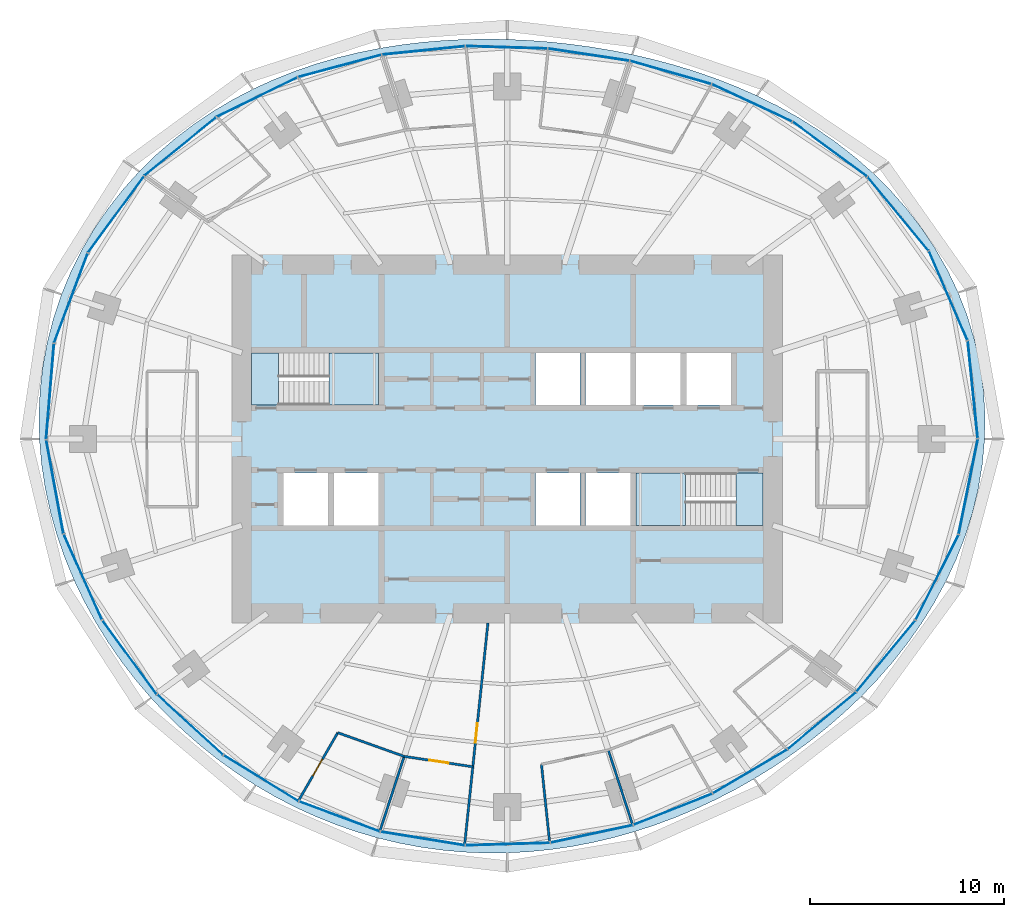
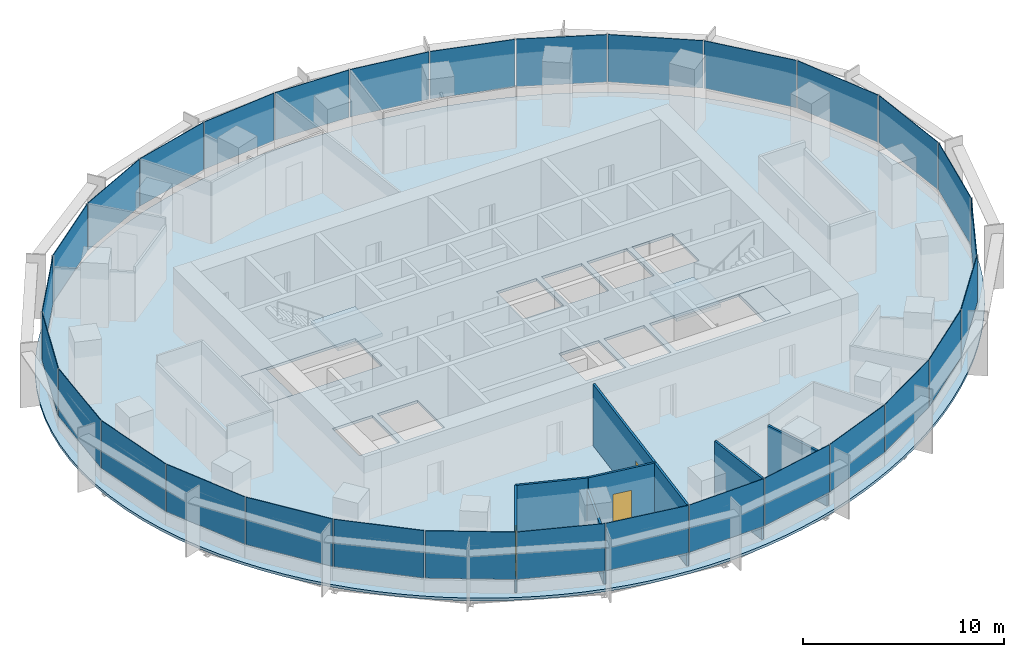
# One storey, part 9 of 15: 30 plates, 7 walls, 5 slabs, 3 doors, 3 openings, 8 elements without a shape of their own.
"""IFC4 building model written with IfcOpenShell, lengths in metres."""

from ifc_helpers import new_model, si_unit, direction, frame, frame_2d, origin, origin_2d, place, context, subcontext, project, spatial, polyline, rectangle, outline, extrude, material, layer, layer_set, type_object, element, fill, aggregate, save


model = new_model("IFC4")

# Units and contexts
model_context = context("Model", 3, precision=1e-05, world=origin(), true_north=direction((0.0, 1.0)))
body_context = subcontext(model_context, "Body", "Model", "MODEL_VIEW")
ifc_project = project(units=[si_unit("LENGTHUNIT", "METRE"), si_unit("AREAUNIT", "SQUARE_METRE"), si_unit("VOLUMEUNIT", "CUBIC_METRE"), si_unit("PLANEANGLEUNIT", "RADIAN"), si_unit("MASSUNIT", "GRAM", prefix="KILO")], contexts=[model_context])

# Site, building, storey
site_placement = place(None, origin())
site = spatial("IfcSite", under=ifc_project, at=site_placement, CompositionType="ELEMENT")
building_placement = place(site_placement, origin())
building = spatial("IfcBuilding", under=site, at=building_placement, Name="Marramba Exchange Tower", CompositionType="ELEMENT")
storey_placement = place(building_placement, frame((0.0, 0.0, 187.699951171875)))
storey = spatial("IfcBuildingStorey", under=building, at=storey_placement, Name="L45", CompositionType="ELEMENT", Elevation=187.699951171875)

# Slab
ifc_material_1 = material(Name="Concrete N40", Category="concrete")
ifc_layer_1 = layer(ifc_material_1, 0.159912109375)
ifc_layer_set_1 = layer_set([ifc_layer_1], Name="Composite floor slab 160")
slab_type_1 = type_object("IfcSlabType", Name="Composite floor slab 160", PredefinedType="FLOOR", material=ifc_layer_set_1)
slab_1_placement = place(storey_placement, frame((0.0, 0.0, -0.159912109375)))
element("IfcSlab", 1, at=slab_1_placement, inside=storey, type_object=slab_type_1, Name="Floor slab L45", PredefinedType="FLOOR", context=body_context, shape_type="SweptSolid", body=[
    extrude(outline(polyline([(24.64404296875, 0.0), (24.661376953125, 1.29248046875), (24.580078125, 2.58349609375), (24.399658203125, 3.864501953125), (24.12109375, 5.127197265625), (23.7470703125, 6.363037109375), (23.281494140625, 7.564697265625), (22.72900390625, 8.724853515625), (22.095947265625, 9.837646484375), (21.388427734375, 10.89794921875), (20.614013671875, 11.901611328125), (19.780029296875, 12.845458984375), (18.894287109375, 13.7275390625), (17.964111328125, 14.547119140625), (16.996826171875, 15.303955078125), (15.9990234375, 15.9990234375), (14.977294921875, 16.634033203125), (13.936767578125, 17.21044921875), (12.882568359375, 17.7314453125), (11.819091796875, 18.19970703125), (10.749267578125, 18.6181640625), (9.67578125, 18.989990234375), (8.60107421875, 19.318115234375), (7.52587890625, 19.60546875), (6.451171875, 19.8544921875), (5.377197265625, 20.067626953125), (4.303466796875, 20.246337890625), (3.229736328125, 20.39208984375), (2.1552734375, 20.50537109375), (1.078857421875, 20.5869140625), (0.0, 20.63623046875), (-1.082275390625, 20.652587890625), (-2.168701171875, 20.634765625), (-3.259765625, 20.580810546875), (-4.35498046875, 20.4892578125), (-5.45458984375, 20.35693359375), (-6.557373046875, 20.181884765625), (-7.662353515625, 19.9609375), (-8.76708984375, 19.691162109375), (-9.869384765625, 19.369873046875), (-10.96630859375, 18.994384765625), (-12.05419921875, 18.561767578125), (-13.128662109375, 18.070068359375), (-14.185546875, 17.517578125), (-15.218994140625, 16.902587890625), (-16.22412109375, 16.22412109375), (-17.195068359375, 15.482421875), (-18.12548828125, 14.677734375), (-19.009521484375, 13.811279296875), (-19.841064453125, 12.885009765625), (-20.614013671875, 11.901611328125), (-21.32275390625, 10.864501953125), (-21.9619140625, 9.778076171875), (-22.52685546875, 8.647216796875), (-23.01318359375, 7.477294921875), (-23.417724609375, 6.274658203125), (-23.73779296875, 5.045654296875), (-23.971923828125, 3.796875), (-24.119384765625, 2.53515625), (-24.180419921875, 1.267333984375), (-24.156005859375, 0.0), (-24.04833984375, -1.26025390625), (-23.860107421875, -2.5078125), (-23.594482421875, -3.737060546875), (-23.25537109375, -4.943115234375), (-22.846923828125, -6.121826171875), (-22.373291015625, -7.26953125), (-21.8388671875, -8.38330078125), (-21.247802734375, -9.460205078125), (-20.604248046875, -10.49853515625), (-19.912109375, -11.496337890625), (-19.174560546875, -12.4521484375), (-18.395263671875, -13.364990234375), (-17.5771484375, -14.233642578125), (-16.72265625, -15.05712890625), (-15.834228515625, -15.834228515625), (-14.914794921875, -16.564453125), (-13.966064453125, -17.24658203125), (-12.990234375, -17.879638671875), (-11.98974609375, -18.46240234375), (-10.96630859375, -18.994384765625), (-9.922607421875, -19.47412109375), (-8.860595703125, -19.901123046875), (-7.78271484375, -20.2744140625), (-6.691162109375, -20.593505859375), (-5.5888671875, -20.858154296875), (-4.478271484375, -21.068115234375), (-3.361328125, -21.22314453125), (-2.2412109375, -21.32373046875), (-1.119873046875, -21.370361328125), (0.0, -21.36376953125), (1.116455078125, -21.3046875), (2.2275390625, -21.194580078125), (3.33154296875, -21.0341796875), (4.426513671875, -20.8251953125), (5.511474609375, -20.56884765625), (6.5849609375, -20.266357421875), (7.646240234375, -19.919189453125), (8.694580078125, -19.528076171875), (9.72900390625, -19.09423828125), (10.749267578125, -18.6181640625), (11.75439453125, -18.100341796875), (12.744140625, -17.541015625), (13.71728515625, -16.939697265625), (14.6728515625, -16.2958984375), (15.609130859375, -15.609130859375), (16.5244140625, -14.878662109375), (17.415771484375, -14.10302734375), (18.280029296875, -13.28125), (19.11376953125, -12.41259765625), (19.912109375, -11.496337890625), (20.669921875, -10.531982421875), (21.3818359375, -9.519775390625), (22.041259765625, -8.4609375), (22.641845703125, -7.356689453125), (23.176513671875, -6.210205078125), (23.638671875, -5.024658203125), (24.022216796875, -3.8046875), (24.32080078125, -2.55615234375), (24.529541015625, -1.28564453125), (24.64404296875, 0.0)]), holes=[polyline([(1.449951171875, 1.75), (3.75, 1.75), (3.75, 4.449951171875), (1.449951171875, 4.449951171875), (1.449951171875, 1.75)]), polyline([(4.050048828125, 1.75), (6.35009765625, 1.75), (6.35009765625, 4.449951171875), (4.050048828125, 4.449951171875), (4.050048828125, 1.75)]), polyline([(1.449951171875, -4.449951171875), (3.75, -4.449951171875), (3.75, -1.75), (1.449951171875, -1.75), (1.449951171875, -4.449951171875)]), polyline([(4.050048828125, -4.449951171875), (6.35009765625, -4.449951171875), (6.35009765625, -1.75), (4.050048828125, -1.75), (4.050048828125, -4.449951171875)]), polyline([(6.64990234375, 1.75), (8.949951171875, 1.75), (8.949951171875, 4.449951171875), (6.64990234375, 4.449951171875), (6.64990234375, 1.75)]), polyline([(-8.949951171875, -4.449951171875), (-6.64990234375, -4.449951171875), (-6.64990234375, -1.75), (-8.949951171875, -1.75), (-8.949951171875, -4.449951171875)]), polyline([(-11.550048828125, -4.449951171875), (-9.25, -4.449951171875), (-9.25, -1.75), (-11.550048828125, -1.75), (-11.550048828125, -4.449951171875)]), polyline([(9.25, 1.75), (11.550048828125, 1.75), (11.550048828125, 4.449951171875), (9.25, 4.449951171875), (9.25, 1.75)]), polyline([(-13.199951171875, 1.75), (-6.64990234375, 1.75), (-6.64990234375, 4.449951171875), (-13.199951171875, 4.449951171875), (-13.199951171875, 1.75)]), polyline([(6.64990234375, -4.449951171875), (13.199951171875, -4.449951171875), (13.199951171875, -1.75), (6.64990234375, -1.75), (6.64990234375, -4.449951171875)])]), origin(), (0.0, 0.0, 1.0), 0.159912109375),
])

# Curtain wall, plates
ifc_material_2 = material(Name="Aluminium framing, bronze anodised", Category="aluminium")
curtain_wall_type = type_object("IfcCurtainWallType", Name="Office ribbon curtain wall", PredefinedType="USERDEFINED", material=ifc_material_2)
curtain_wall_1_placement = place(storey_placement, origin())
curtain_wall_1 = element("IfcCurtainWall", 2, at=curtain_wall_1_placement, inside=storey, type_object=curtain_wall_type, Name="Curtain wall CW4 L45 F01-F05", ObjectType="RIBBON CURTAIN WALL", PredefinedType="USERDEFINED")
ifc_material_3 = material(Name="Laminated double glazed unit 10.76 + 16 + 10.76, bronze tinted", Category="glass")
ifc_layer_2 = layer(ifc_material_3, 0.03759765625)
ifc_layer_set_2 = layer_set([ifc_layer_2], Name="Office ribbon curtain wall panel")
plate_type = type_object("IfcPlateType", Name="Office ribbon curtain wall panel", PredefinedType="CURTAIN_PANEL", material=ifc_layer_set_2)
plate_1_placement = place(storey_placement, frame((24.033203125, 2.556884765625, 0.860107421875), z_axis=(0.0, 0.0, 1.0), x_axis=(-0.101422472607, 0.994843446001, 0.0)))
plate_1 = element("IfcPlate", 3, at=plate_1_placement, type_object=plate_type, Name="CW4 vision panel", PredefinedType="CURTAIN_PANEL", context=body_context, shape_type="SweptSolid", body=[
    extrude(rectangle(XDim=5.0205078125, YDim=0.03759765625, at=origin_2d()), origin(), (0.0, 0.0, 1.0), 2.8798828125),
])
plate_2_placement = place(storey_placement, frame((22.765625, 7.40234375, 0.860107421875), z_axis=(0.0, 0.0, 1.0), x_axis=(-0.396193346946, 0.918167104527, 0.0)))
plate_2 = element("IfcPlate", 4, at=plate_2_placement, type_object=plate_type, Name="CW4 vision panel", PredefinedType="CURTAIN_PANEL", context=body_context, shape_type="SweptSolid", body=[
    extrude(rectangle(XDim=4.99462890625, YDim=0.03759765625, at=origin_2d()), origin(), (0.0, 0.0, 1.0), 2.8798828125),
])
plate_3_placement = place(storey_placement, frame((20.174560546875, 11.631591796875, 0.860107421875), z_axis=(0.0, 0.0, 1.0), x_axis=(-0.637350227411, 0.770574258342, 0.0)))
plate_3 = element("IfcPlate", 5, at=plate_3_placement, type_object=plate_type, Name="CW4 vision panel", PredefinedType="CURTAIN_PANEL", context=body_context, shape_type="SweptSolid", body=[
    extrude(rectangle(XDim=4.90576171875, YDim=0.03759765625, at=origin_2d()), origin(), (0.0, 0.0, 1.0), 2.8798828125),
])
plate_4_placement = place(storey_placement, frame((16.653076171875, 14.965576171875, 0.860107421875), z_axis=(0.0, 0.0, 1.0), x_axis=(-0.804877259395, 0.593441317494, 0.0)))
plate_4 = element("IfcPlate", 6, at=plate_4_placement, type_object=plate_type, Name="CW4 vision panel", PredefinedType="CURTAIN_PANEL", context=body_context, shape_type="SweptSolid", body=[
    extrude(rectangle(XDim=4.745849609375, YDim=0.03759765625, at=origin_2d()), origin(), (0.0, 0.0, 1.0), 2.8798828125),
])
plate_5_placement = place(storey_placement, frame((12.63134765625, 17.357177734375, 0.860107421875), z_axis=(0.0, 0.0, 1.0), x_axis=(-0.906533907301, 0.422133006189, 0.0)))
plate_5 = element("IfcPlate", 7, at=plate_5_placement, type_object=plate_type, Name="CW4 vision panel", PredefinedType="CURTAIN_PANEL", context=body_context, shape_type="SweptSolid", body=[
    extrude(rectangle(XDim=4.53857421875, YDim=0.03759765625, at=origin_2d()), origin(), (0.0, 0.0, 1.0), 2.8798828125),
])
aggregate(curtain_wall_1, [plate_1, plate_2, plate_3, plate_4, plate_5])

curtain_wall_2_placement = place(storey_placement, origin())
curtain_wall_2 = element("IfcCurtainWall", 8, at=curtain_wall_2_placement, inside=storey, type_object=curtain_wall_type, Name="Curtain wall CW4 L45 F06-F10", ObjectType="RIBBON CURTAIN WALL", PredefinedType="USERDEFINED")
plate_6_placement = place(storey_placement, frame((8.4296875, 18.926513671875, 0.860107421875), z_axis=(0.0, 0.0, 1.0), x_axis=(-0.961658954195, 0.274248164656, 0.0)))
plate_6 = element("IfcPlate", 9, at=plate_6_placement, type_object=plate_type, Name="CW4 vision panel", PredefinedType="CURTAIN_PANEL", context=body_context, shape_type="SweptSolid", body=[
    extrude(rectangle(XDim=4.33984375, YDim=0.03759765625, at=origin_2d()), origin(), (0.0, 0.0, 1.0), 2.8798828125),
])
plate_7_placement = place(storey_placement, frame((4.201171875, 19.843994140625, 0.860107421875), z_axis=(0.0, 0.0, 1.0), x_axis=(-0.988868065698, 0.148794988635, 0.0)))
plate_7 = element("IfcPlate", 10, at=plate_7_placement, type_object=plate_type, Name="CW4 vision panel", PredefinedType="CURTAIN_PANEL", context=body_context, shape_type="SweptSolid", body=[
    extrude(rectangle(XDim=4.2119140625, YDim=0.03759765625, at=origin_2d()), origin(), (0.0, 0.0, 1.0), 2.8798828125),
])
plate_8_placement = place(storey_placement, frame((-0.036865234375, 20.222900390625, 0.860107421875), z_axis=(0.0, 0.0, 1.0), x_axis=(-0.999538000143, 0.03039385249, 0.0)))
plate_8 = element("IfcPlate", 11, at=plate_8_placement, type_object=plate_type, Name="CW4 vision panel", PredefinedType="CURTAIN_PANEL", context=body_context, shape_type="SweptSolid", body=[
    extrude(rectangle(XDim=4.19287109375, YDim=0.03759765625, at=origin_2d()), origin(), (0.0, 0.0, 1.0), 2.8798828125),
])
plate_9_placement = place(storey_placement, frame((-4.320556640625, 20.064697265625, 0.860107421875), z_axis=(0.0, 0.0, 1.0), x_axis=(-0.994900357369, -0.100862673507, 0.0)))
plate_9 = element("IfcPlate", 12, at=plate_9_placement, type_object=plate_type, Name="CW4 vision panel", PredefinedType="CURTAIN_PANEL", context=body_context, shape_type="SweptSolid", body=[
    extrude(rectangle(XDim=4.279296875, YDim=0.03759765625, at=origin_2d()), origin(), (0.0, 0.0, 1.0), 2.8798828125),
])
plate_10_placement = place(storey_placement, frame((-8.6494140625, 19.262451171875, 0.860107421875), z_axis=(0.0, 0.0, 1.0), x_axis=(-0.966240653155, -0.257641223778, 0.0)))
plate_10 = element("IfcPlate", 13, at=plate_10_placement, type_object=plate_type, Name="CW4 vision panel", PredefinedType="CURTAIN_PANEL", context=body_context, shape_type="SweptSolid", body=[
    extrude(rectangle(XDim=4.433837890625, YDim=0.03759765625, at=origin_2d()), origin(), (0.0, 0.0, 1.0), 2.8798828125),
])
aggregate(curtain_wall_2, [plate_6, plate_7, plate_8, plate_9, plate_10])

curtain_wall_3_placement = place(storey_placement, origin())
curtain_wall_3 = element("IfcCurtainWall", 14, at=curtain_wall_3_placement, inside=storey, type_object=curtain_wall_type, Name="Curtain wall CW4 L45 F11-F15", ObjectType="RIBBON CURTAIN WALL", PredefinedType="USERDEFINED")
plate_11_placement = place(storey_placement, frame((-12.9150390625, 17.653564453125, 0.860107421875), z_axis=(0.0, 0.0, 1.0), x_axis=(-0.898500518805, -0.438972456661, 0.0)))
plate_11 = element("IfcPlate", 15, at=plate_11_placement, type_object=plate_type, Name="CW4 vision panel", PredefinedType="CURTAIN_PANEL", context=body_context, shape_type="SweptSolid", body=[
    extrude(rectangle(XDim=4.607177734375, YDim=0.03759765625, at=origin_2d()), origin(), (0.0, 0.0, 1.0), 2.8798828125),
])
plate_12_placement = place(storey_placement, frame((-16.87890625, 15.10498046875, 0.860107421875), z_axis=(0.0, 0.0, 1.0), x_axis=(-0.776432169145, -0.630200830464, 0.0)))
plate_12 = element("IfcPlate", 16, at=plate_12_placement, type_object=plate_type, Name="CW4 vision panel", PredefinedType="CURTAIN_PANEL", context=body_context, shape_type="SweptSolid", body=[
    extrude(rectangle(XDim=4.7587890625, YDim=0.03759765625, at=origin_2d()), origin(), (0.0, 0.0, 1.0), 2.8798828125),
])
plate_13_placement = place(storey_placement, frame((-20.2021484375, 11.596435546875, 0.860107421875), z_axis=(0.0, 0.0, 1.0), x_axis=(-0.591962922138, -0.805965197024, 0.0)))
plate_13 = element("IfcPlate", 17, at=plate_13_placement, type_object=plate_type, Name="CW4 vision panel", PredefinedType="CURTAIN_PANEL", context=body_context, shape_type="SweptSolid", body=[
    extrude(rectangle(XDim=4.865478515625, YDim=0.03759765625, at=origin_2d()), origin(), (0.0, 0.0, 1.0), 2.8798828125),
])
plate_14_placement = place(storey_placement, frame((-22.529296875, 7.276123046875, 0.860107421875), z_axis=(0.0, 0.0, 1.0), x_axis=(-0.351951515885, -0.936018231909, 0.0)))
plate_14 = element("IfcPlate", 18, at=plate_14_placement, type_object=plate_type, Name="CW4 vision panel", PredefinedType="CURTAIN_PANEL", context=body_context, shape_type="SweptSolid", body=[
    extrude(rectangle(XDim=4.921630859375, YDim=0.03759765625, at=origin_2d()), origin(), (0.0, 0.0, 1.0), 2.8798828125),
])
plate_15_placement = place(storey_placement, frame((-23.603271484375, 2.45654296875, 0.860107421875), z_axis=(0.0, 0.0, 1.0), x_axis=(-0.082280890264, -0.996609178714, 0.0)))
plate_15 = element("IfcPlate", 19, at=plate_15_placement, type_object=plate_type, Name="CW4 vision panel", PredefinedType="CURTAIN_PANEL", context=body_context, shape_type="SweptSolid", body=[
    extrude(rectangle(XDim=4.9296875, YDim=0.03759765625, at=origin_2d()), origin(), (0.0, 0.0, 1.0), 2.8798828125),
])
aggregate(curtain_wall_3, [plate_11, plate_12, plate_13, plate_14, plate_15])

curtain_wall_4_placement = place(storey_placement, origin())
curtain_wall_4 = element("IfcCurtainWall", 20, at=curtain_wall_4_placement, inside=storey, type_object=curtain_wall_type, Name="Curtain wall CW4 L45 F16-F20", ObjectType="RIBBON CURTAIN WALL", PredefinedType="USERDEFINED")
plate_16_placement = place(storey_placement, frame((-23.354248046875, -2.464599609375, 0.860107421875), z_axis=(0.0, 0.0, 1.0), x_axis=(0.180327438996, -0.983606636184, 0.0)))
plate_16 = element("IfcPlate", 21, at=plate_16_placement, type_object=plate_type, Name="CW4 vision panel", PredefinedType="CURTAIN_PANEL", context=body_context, shape_type="SweptSolid", body=[
    extrude(rectangle(XDim=4.8916015625, YDim=0.03759765625, at=origin_2d()), origin(), (0.0, 0.0, 1.0), 2.8798828125),
])
plate_17_placement = place(storey_placement, frame((-21.908447265625, -7.12158203125, 0.860107421875), z_axis=(0.0, 0.0, 1.0), x_axis=(0.407557580942, -0.913179510401, 0.0)))
plate_17 = element("IfcPlate", 22, at=plate_17_placement, type_object=plate_type, Name="CW4 vision panel", PredefinedType="CURTAIN_PANEL", context=body_context, shape_type="SweptSolid", body=[
    extrude(rectangle(XDim=4.810302734375, YDim=0.03759765625, at=origin_2d()), origin(), (0.0, 0.0, 1.0), 2.8798828125),
])
plate_18_placement = place(storey_placement, frame((-19.50244140625, -11.2626953125, 0.860107421875), z_axis=(0.0, 0.0, 1.0), x_axis=(0.591223103363, -0.806508054547, 0.0)))
plate_18 = element("IfcPlate", 23, at=plate_18_placement, type_object=plate_type, Name="CW4 vision panel", PredefinedType="CURTAIN_PANEL", context=body_context, shape_type="SweptSolid", body=[
    extrude(rectangle(XDim=4.703125, YDim=0.03759765625, at=origin_2d()), origin(), (0.0, 0.0, 1.0), 2.8798828125),
])
plate_19_placement = place(storey_placement, frame((-16.374267578125, -14.752197265625, 0.860107421875), z_axis=(0.0, 0.0, 1.0), x_axis=(0.737203264245, -0.67567103474, 0.0)))
plate_19 = element("IfcPlate", 24, at=plate_19_placement, type_object=plate_type, Name="CW4 vision panel", PredefinedType="CURTAIN_PANEL", context=body_context, shape_type="SweptSolid", body=[
    extrude(rectangle(XDim=4.594970703125, YDim=0.03759765625, at=origin_2d()), origin(), (0.0, 0.0, 1.0), 2.8798828125),
])
plate_20_placement = place(storey_placement, frame((-12.71044921875, -17.513427734375, 0.860107421875), z_axis=(0.0, 0.0, 1.0), x_axis=(0.85230101176, -0.52305160869, 0.0)))
plate_20 = element("IfcPlate", 25, at=plate_20_placement, type_object=plate_type, Name="CW4 vision panel", PredefinedType="CURTAIN_PANEL", context=body_context, shape_type="SweptSolid", body=[
    extrude(rectangle(XDim=4.503173828125, YDim=0.03759765625, at=origin_2d()), origin(), (0.0, 0.0, 1.0), 2.8798828125),
])
aggregate(curtain_wall_4, [plate_16, plate_17, plate_18, plate_19, plate_20])

curtain_wall_5_placement = place(storey_placement, origin())
curtain_wall_5 = element("IfcCurtainWall", 26, at=curtain_wall_5_placement, inside=storey, type_object=curtain_wall_type, Name="Curtain wall CW4 L45 F21-F25", ObjectType="RIBBON CURTAIN WALL", PredefinedType="USERDEFINED")
plate_21_placement = place(storey_placement, frame((-8.6591796875, -19.486572265625, 0.860107421875), z_axis=(0.0, 0.0, 1.0), x_axis=(0.936951583142, -0.349459197687, 0.0)))
plate_21 = element("IfcPlate", 27, at=plate_21_placement, type_object=plate_type, Name="CW4 vision panel", PredefinedType="CURTAIN_PANEL", context=body_context, shape_type="SweptSolid", body=[
    extrude(rectangle(XDim=4.431396484375, YDim=0.03759765625, at=origin_2d()), origin(), (0.0, 0.0, 1.0), 2.8798828125),
])
plate_22_placement = place(storey_placement, frame((-4.3642578125, -20.623046875, 0.860107421875), z_axis=(0.0, 0.0, 1.0), x_axis=(0.986930623159, -0.161145726194, 0.0)))
plate_22 = element("IfcPlate", 28, at=plate_22_placement, type_object=plate_type, Name="CW4 vision panel", PredefinedType="CURTAIN_PANEL", context=body_context, shape_type="SweptSolid", body=[
    extrude(rectangle(XDim=4.37646484375, YDim=0.03759765625, at=origin_2d()), origin(), (0.0, 0.0, 1.0), 2.8798828125),
])
plate_23_placement = place(storey_placement, frame((0.023193359375, -20.91015625, 0.860107421875), z_axis=(0.0, 0.0, 1.0), x_axis=(0.99956791915, 0.029393451762, 0.0)))
plate_23 = element("IfcPlate", 29, at=plate_23_placement, type_object=plate_type, Name="CW4 vision panel", PredefinedType="CURTAIN_PANEL", context=body_context, shape_type="SweptSolid", body=[
    extrude(rectangle(XDim=4.337646484375, YDim=0.03759765625, at=origin_2d()), origin(), (0.0, 0.0, 1.0), 2.8798828125),
])
plate_24_placement = place(storey_placement, frame((4.36328125, -20.3837890625, 0.860107421875), z_axis=(0.0, 0.0, 1.0), x_axis=(0.978058069607, 0.208332456608, 0.0)))
plate_24 = element("IfcPlate", 30, at=plate_24_placement, type_object=plate_type, Name="CW4 vision panel", PredefinedType="CURTAIN_PANEL", context=body_context, shape_type="SweptSolid", body=[
    extrude(rectangle(XDim=4.32177734375, YDim=0.03759765625, at=origin_2d()), origin(), (0.0, 0.0, 1.0), 2.8798828125),
])
plate_25_placement = place(storey_placement, frame((8.553466796875, -19.11328125, 0.860107421875), z_axis=(0.0, 0.0, 1.0), x_axis=(0.93007301435, 0.367374724195, 0.0)))
plate_25 = element("IfcPlate", 31, at=plate_25_placement, type_object=plate_type, Name="CW4 vision panel", PredefinedType="CURTAIN_PANEL", context=body_context, shape_type="SweptSolid", body=[
    extrude(rectangle(XDim=4.345458984375, YDim=0.03759765625, at=origin_2d()), origin(), (0.0, 0.0, 1.0), 2.8798828125),
])
aggregate(curtain_wall_5, [plate_21, plate_22, plate_23, plate_24, plate_25])

curtain_wall_6_placement = place(storey_placement, origin())
curtain_wall_6 = element("IfcCurtainWall", 32, at=curtain_wall_6_placement, inside=storey, type_object=curtain_wall_type, Name="Curtain wall CW4 L45 F26-F30", ObjectType="RIBBON CURTAIN WALL", PredefinedType="USERDEFINED")
plate_26_placement = place(storey_placement, frame((12.5322265625, -17.16015625, 0.860107421875), z_axis=(0.0, 0.0, 1.0), x_axis=(0.861350833897, 0.508010571686, 0.0)))
plate_26 = element("IfcPlate", 33, at=plate_26_placement, type_object=plate_type, Name="CW4 vision panel", PredefinedType="CURTAIN_PANEL", context=body_context, shape_type="SweptSolid", body=[
    extrude(rectangle(XDim=4.426513671875, YDim=0.03759765625, at=origin_2d()), origin(), (0.0, 0.0, 1.0), 2.8798828125),
])
plate_27_placement = place(storey_placement, frame((16.240966796875, -14.536376953125, 0.860107421875), z_axis=(0.0, 0.0, 1.0), x_axis=(0.768736798421, 0.639565270127, 0.0)))
plate_27 = element("IfcPlate", 34, at=plate_27_placement, type_object=plate_type, Name="CW4 vision panel", PredefinedType="CURTAIN_PANEL", context=body_context, shape_type="SweptSolid", body=[
    extrude(rectangle(XDim=4.568603515625, YDim=0.03759765625, at=origin_2d()), origin(), (0.0, 0.0, 1.0), 2.8798828125),
])
plate_28_placement = place(storey_placement, frame((19.548583984375, -11.203369140625, 0.860107421875), z_axis=(0.0, 0.0, 1.0), x_axis=(0.63814998673, 0.769912069289, 0.0)))
plate_28 = element("IfcPlate", 35, at=plate_28_placement, type_object=plate_type, Name="CW4 vision panel", PredefinedType="CURTAIN_PANEL", context=body_context, shape_type="SweptSolid", body=[
    extrude(rectangle(XDim=4.7431640625, YDim=0.03759765625, at=origin_2d()), origin(), (0.0, 0.0, 1.0), 2.8798828125),
])
plate_29_placement = place(storey_placement, frame((22.19287109375, -7.137939453125, 0.860107421875), z_axis=(0.0, 0.0, 1.0), x_axis=(0.450673083956, 0.892689067591, 0.0)))
plate_29 = element("IfcPlate", 36, at=plate_29_placement, type_object=plate_type, Name="CW4 vision panel", PredefinedType="CURTAIN_PANEL", context=body_context, shape_type="SweptSolid", body=[
    extrude(rectangle(XDim=4.897705078125, YDim=0.03759765625, at=origin_2d()), origin(), (0.0, 0.0, 1.0), 2.8798828125),
])
plate_30_placement = place(storey_placement, frame((23.801025390625, -2.446533203125, 0.860107421875), z_axis=(0.0, 0.0, 1.0), x_axis=(0.197495405316, 0.980303812539, 0.0)))
plate_30 = element("IfcPlate", 37, at=plate_30_placement, type_object=plate_type, Name="CW4 vision panel", PredefinedType="CURTAIN_PANEL", context=body_context, shape_type="SweptSolid", body=[
    extrude(rectangle(XDim=4.9912109375, YDim=0.03759765625, at=origin_2d()), origin(), (0.0, 0.0, 1.0), 2.8798828125),
])
aggregate(curtain_wall_6, [plate_26, plate_27, plate_28, plate_29, plate_30])

# Stair, slabs
ifc_material_4 = material(Name="Concrete N40 (40 MPa)", Category="concrete")
stair_type_1 = type_object("IfcStairType", Name="Exit stair ST1 3900 x 1250", PredefinedType="HALF_TURN_STAIR", material=ifc_material_4)
stair_1_placement = place(storey_placement, origin())
stair_1 = element("IfcStair", 38, at=stair_1_placement, inside=storey, type_object=stair_type_1, Name="Exit stair ST1 L45", PredefinedType="HALF_TURN_STAIR")
ifc_layer_3 = layer(ifc_material_4, 0.199951171875)
ifc_layer_set_3 = layer_set([ifc_layer_3], Name="Stair landing 200")
slab_type_2 = type_object("IfcSlabType", Name="Stair landing 200", PredefinedType="LANDING", material=ifc_layer_set_3)
slab_2_placement = place(storey_placement, frame((0.0, 0.0, -0.199951171875)))
slab_2 = element("IfcSlab", 39, at=slab_2_placement, type_object=slab_type_2, Name="ST1 landing 1", PredefinedType="LANDING", context=body_context, shape_type="SweptSolid", body=[
    extrude(outline(polyline([(-13.199951171875, 1.75), (-11.800048828125, 1.75), (-11.800048828125, 4.449951171875), (-13.199951171875, 4.449951171875), (-13.199951171875, 1.75)])), origin(), (0.0, 0.0, 1.0), 0.199951171875),
])
slab_3_placement = place(storey_placement, frame((0.0, 0.0, 1.75)))
slab_3 = element("IfcSlab", 40, at=slab_3_placement, type_object=slab_type_2, Name="ST1 landing 2", PredefinedType="LANDING", context=body_context, shape_type="SweptSolid", body=[
    extrude(outline(polyline([(-9.199951171875, 1.75), (-6.64990234375, 1.75), (-6.64990234375, 4.449951171875), (-9.199951171875, 4.449951171875), (-9.199951171875, 1.75)])), origin(), (0.0, 0.0, 1.0), 0.199951171875),
])
aggregate(stair_1, [slab_2, slab_3])

stair_type_2 = type_object("IfcStairType", Name="Exit stair ST2 3900 x 1250", PredefinedType="HALF_TURN_STAIR", material=ifc_material_4)
stair_2_placement = place(storey_placement, origin())
stair_2 = element("IfcStair", 41, at=stair_2_placement, inside=storey, type_object=stair_type_2, Name="Exit stair ST2 L45", PredefinedType="HALF_TURN_STAIR")
slab_4_placement = place(storey_placement, frame((0.0, 0.0, -0.199951171875)))
slab_4 = element("IfcSlab", 42, at=slab_4_placement, type_object=slab_type_2, Name="ST2 landing 1", PredefinedType="LANDING", context=body_context, shape_type="SweptSolid", body=[
    extrude(outline(polyline([(11.800048828125, -4.449951171875), (13.199951171875, -4.449951171875), (13.199951171875, -1.75), (11.800048828125, -1.75), (11.800048828125, -4.449951171875)])), origin(), (0.0, 0.0, 1.0), 0.199951171875),
])
slab_5_placement = place(storey_placement, frame((0.0, 0.0, 1.75)))
slab_5 = element("IfcSlab", 43, at=slab_5_placement, type_object=slab_type_2, Name="ST2 landing 2", PredefinedType="LANDING", context=body_context, shape_type="SweptSolid", body=[
    extrude(outline(polyline([(6.64990234375, -4.449951171875), (9.199951171875, -4.449951171875), (9.199951171875, -1.75), (6.64990234375, -1.75), (6.64990234375, -4.449951171875)])), origin(), (0.0, 0.0, 1.0), 0.199951171875),
])
aggregate(stair_2, [slab_4, slab_5])

# Wall, opening, door
ifc_material_5 = material(Name="Plasterboard on steel studs", Category="steel")
ifc_layer_4 = layer(ifc_material_5, 0.1201171875)
ifc_layer_set_4 = layer_set([ifc_layer_4], Name="Partition 120")
wall_type = type_object("IfcWallType", Name="Partition 120", PredefinedType="PARTITIONING", material=ifc_layer_set_4)
wall_1_placement = place(storey_placement, frame((-8.75146484375, -15.15771484375, 0.0), z_axis=(0.0, 0.0, 1.0), x_axis=(-0.49999894854, -0.866026010844, 0.0)))
wall_1 = element("IfcWall", 44, at=wall_1_placement, inside=storey, type_object=wall_type, Name="Partition L45 02", PredefinedType="PARTITIONING", context=body_context, shape_type="SweptSolid", body=[
    extrude(rectangle(XDim=4.0, YDim=0.1201171875, at=frame_2d((2.0, 0.0))), origin(), (0.0, 0.0, 1.0), 3.739990234375),
])
opening_1_placement = place(wall_1_placement, frame((1.576904296875, 0.0, 0.0)))
opening_1 = element("IfcOpeningElement", 45, at=opening_1_placement, cuts=wall_1, Name="Opening D9", PredefinedType="OPENING", context=body_context, shape_type="SweptSolid", body=[
    extrude(rectangle(XDim=1.0, YDim=2.39990234375, at=frame_2d((0.5, 1.199951171875))), frame((0.0, 0.070068359375, 0.0), z_axis=(0.0, -1.0, 0.0), x_axis=(1.0, 0.0, 0.0)), (0.0, 0.0, 1.0), 0.14013671875),
])
ifc_material_6 = material(Name="Timber door", Category="wood")
door_type = type_object("IfcDoorType", Name="Room door 1000x2400", OperationType="SINGLE_SWING_LEFT", PredefinedType="DOOR", material=ifc_material_6)
door_1_placement = place(opening_1_placement, origin())
door_1 = element("IfcDoor", 46, at=door_1_placement, inside=storey, type_object=door_type, Name="D9 Office 6 L45", OperationType="SINGLE_SWING_RIGHT", OverallHeight=2.39990234375, OverallWidth=1.0, PredefinedType="DOOR", context=body_context, shape_type="SweptSolid", body=[
    extrude(rectangle(XDim=1.0, YDim=2.39990234375, at=frame_2d((0.5, 1.199951171875))), frame((0.0, 0.02490234375, 0.0), z_axis=(0.0, -1.0, 0.0), x_axis=(1.0, 0.0, 0.0)), (0.0, 0.0, 1.0), 0.050048828125),
])
fill(opening_1, door_1)

# Walls
wall_2_placement = place(storey_placement, frame((-5.322265625, -16.38037109375, 0.0), z_axis=(0.0, 0.0, 1.0), x_axis=(-0.94192080639, 0.335835070369, 0.0)))
element("IfcWall", 47, at=wall_2_placement, inside=storey, type_object=wall_type, Name="Partition L45 03", PredefinedType="PARTITIONING", context=body_context, shape_type="SweptSolid", body=[
    extrude(rectangle(XDim=3.640625, YDim=0.1201171875, at=frame_2d((1.8203125, 0.0))), origin(), (0.0, 0.0, 1.0), 3.739990234375),
])
wall_3_placement = place(storey_placement, frame((-5.322265625, -16.38037109375, 0.0), z_axis=(0.0, 0.0, 1.0), x_axis=(-0.3090046493, -0.951060527364, 0.0)))
element("IfcWall", 48, at=wall_3_placement, inside=storey, type_object=wall_type, Name="Partition L45 04", PredefinedType="PARTITIONING", context=body_context, shape_type="SweptSolid", body=[
    extrude(rectangle(XDim=4.000244140625, YDim=0.1201171875, at=frame_2d((2.0, 0.0))), origin(), (0.0, 0.0, 1.0), 3.0400390625),
])

# Wall, opening, door
wall_4_placement = place(storey_placement, frame((-1.7783203125, -16.91796875, 0.0), z_axis=(0.0, 0.0, 1.0), x_axis=(-0.988689198666, 0.149978893322, 0.0)))
wall_4 = element("IfcWall", 49, at=wall_4_placement, inside=storey, type_object=wall_type, Name="Partition L45 05", PredefinedType="PARTITIONING", context=body_context, shape_type="SweptSolid", body=[
    extrude(rectangle(XDim=3.58447265625, YDim=0.1201171875, at=frame_2d((1.792236328125, 0.0))), origin(), (0.0, 0.0, 1.0), 3.739990234375),
])
opening_2_placement = place(wall_4_placement, frame((1.26708984375, 0.0, 0.0)))
opening_2 = element("IfcOpeningElement", 50, at=opening_2_placement, cuts=wall_4, Name="Opening D9", PredefinedType="OPENING", context=body_context, shape_type="SweptSolid", body=[
    extrude(rectangle(XDim=1.0, YDim=2.39990234375, at=frame_2d((0.5, 1.199951171875))), frame((0.0, 0.070068359375, 0.0), z_axis=(0.0, -1.0, 0.0), x_axis=(1.0, 0.0, 0.0)), (0.0, 0.0, 1.0), 0.14013671875),
])
door_2_placement = place(opening_2_placement, origin())
door_2 = element("IfcDoor", 51, at=door_2_placement, inside=storey, type_object=door_type, Name="D9 Office 7 L45", OperationType="SINGLE_SWING_LEFT", OverallHeight=2.39990234375, OverallWidth=1.0, PredefinedType="DOOR", context=body_context, shape_type="SweptSolid", body=[
    extrude(rectangle(XDim=1.0, YDim=2.39990234375, at=frame_2d((0.5, 1.199951171875))), frame((0.0, 0.02490234375, 0.0), z_axis=(0.0, -1.0, 0.0), x_axis=(1.0, 0.0, 0.0)), (0.0, 0.0, 1.0), 0.050048828125),
])
fill(opening_2, door_2)

wall_5_placement = place(storey_placement, frame((-2.1962890625, -20.89599609375, 0.0), z_axis=(0.0, 0.0, 1.0), x_axis=(0.104527293836, 0.99452201828, 0.0)))
wall_5 = element("IfcWall", 52, at=wall_5_placement, inside=storey, type_object=wall_type, Name="Partition L45 06", PredefinedType="PARTITIONING", context=body_context, shape_type="SweptSolid", body=[
    extrude(rectangle(XDim=11.458740234375, YDim=0.1201171875, at=frame_2d((5.7294921875, 0.0))), origin(), (0.0, 0.0, 1.0), 3.739990234375),
])
opening_3_placement = place(wall_5_placement, frame((5.25390625, 0.0, 0.0)))
opening_3 = element("IfcOpeningElement", 53, at=opening_3_placement, cuts=wall_5, Name="Opening D9", PredefinedType="OPENING", context=body_context, shape_type="SweptSolid", body=[
    extrude(rectangle(XDim=1.0, YDim=2.39990234375, at=frame_2d((0.5, 1.199951171875))), frame((0.0, 0.070068359375, 0.0), z_axis=(0.0, -1.0, 0.0), x_axis=(1.0, 0.0, 0.0)), (0.0, 0.0, 1.0), 0.14013671875),
])
door_3_placement = place(opening_3_placement, origin())
door_3 = element("IfcDoor", 54, at=door_3_placement, inside=storey, type_object=door_type, Name="D9 Private Banking Office L45", OperationType="SINGLE_SWING_LEFT", OverallHeight=2.39990234375, OverallWidth=1.0, PredefinedType="DOOR", context=body_context, shape_type="SweptSolid", body=[
    extrude(rectangle(XDim=1.0, YDim=2.39990234375, at=frame_2d((0.5, 1.199951171875))), frame((0.0, 0.02490234375, 0.0), z_axis=(0.0, -1.0, 0.0), x_axis=(1.0, 0.0, 0.0)), (0.0, 0.0, 1.0), 0.050048828125),
])
fill(opening_3, door_3)

# Walls
wall_6_placement = place(storey_placement, frame((1.7646484375, -16.788818359375, 0.0), z_axis=(0.0, 0.0, 1.0), x_axis=(0.104494148666, -0.99452550138, 0.0)))
element("IfcWall", 55, at=wall_6_placement, inside=storey, type_object=wall_type, Name="Partition L45 07", PredefinedType="PARTITIONING", context=body_context, shape_type="SweptSolid", body=[
    extrude(rectangle(XDim=4.0, YDim=0.1201171875, at=frame_2d((2.0, 0.0))), origin(), (0.0, 0.0, 1.0), 3.739990234375),
])
wall_7_placement = place(storey_placement, frame((5.216064453125, -16.05322265625, 0.0), z_axis=(0.0, 0.0, 1.0), x_axis=(0.309022586479, -0.951054699292, 0.0)))
element("IfcWall", 56, at=wall_7_placement, inside=storey, type_object=wall_type, Name="Partition L45 09", PredefinedType="PARTITIONING", context=body_context, shape_type="SweptSolid", body=[
    extrude(rectangle(XDim=4.0, YDim=0.1201171875, at=frame_2d((2.0, 0.0))), origin(), (0.0, 0.0, 1.0), 3.0400390625),
])

save(model, "model.ifc")
